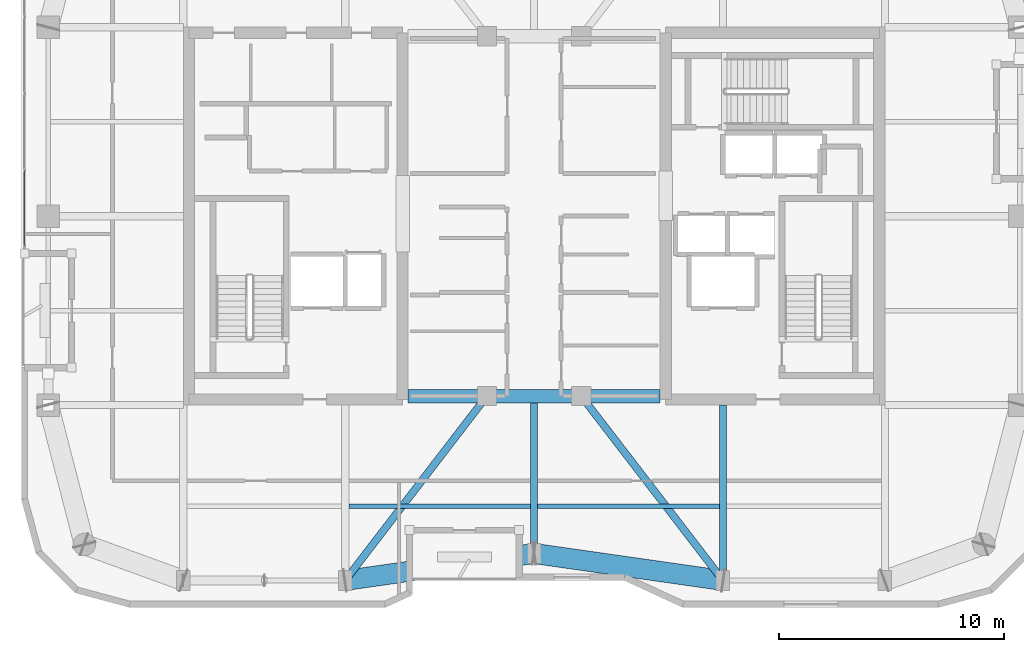
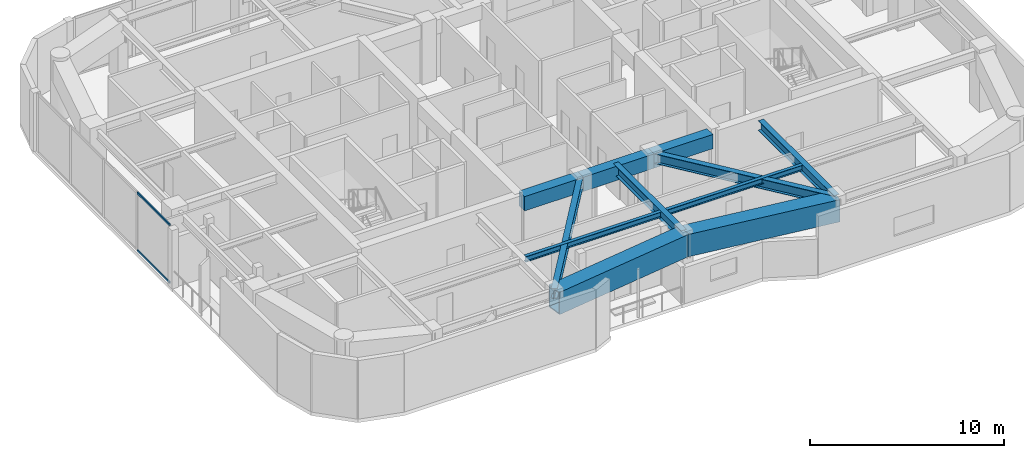
# One storey, part 3 of 15: 11 beams, 2 members, 1 element without a shape of its own.
"""IFC4 building model written with IfcOpenShell, lengths in metres."""

from ifc_helpers import new_model, si_unit, direction, frame, origin, origin_2d, place, context, subcontext, project, spatial, rectangle, hollow_rectangle, i_section, extrude, material, layer, layer_set, material_profile, profile_set, type_object, element, aggregate, save


model = new_model("IFC4")

# Units and contexts
model_context = context("Model", 3, precision=1e-05, world=origin(), true_north=direction((0.0, 1.0)))
body_context = subcontext(model_context, "Body", "Model", "MODEL_VIEW")
ifc_project = project(units=[si_unit("LENGTHUNIT", "METRE"), si_unit("AREAUNIT", "SQUARE_METRE"), si_unit("VOLUMEUNIT", "CUBIC_METRE"), si_unit("PLANEANGLEUNIT", "RADIAN"), si_unit("MASSUNIT", "GRAM", prefix="KILO")], contexts=[model_context])

# Site, building, storey
site_placement = place(None, origin())
site = spatial("IfcSite", under=ifc_project, at=site_placement, CompositionType="ELEMENT")
building_placement = place(site_placement, origin())
building = spatial("IfcBuilding", under=site, at=building_placement, Name="Kiyonajd Concourse Tower", CompositionType="ELEMENT")
storey_placement = place(building_placement, frame((0.0, 0.0, 290.10009765625)))
storey = spatial("IfcBuildingStorey", under=building, at=storey_placement, Name="L73", CompositionType="ELEMENT", Elevation=290.10009765625)

# Beams
ifc_material_1 = material(Name="Concrete C60/75", Category="concrete")
ifc_material_profile_1 = material_profile(ifc_material_1, rectangle(XDim=0.60009765625, YDim=0.89990234375, at=origin_2d()), Name="RCBM-600x900")
ifc_profile_set_1 = profile_set([ifc_material_profile_1], Name="Concrete C60/75")
beam_type_1 = type_object("IfcBeamType", Name="BM-COUP-900", PredefinedType="LINTEL", material=ifc_profile_set_1)
beam_1_placement = place(storey_placement, frame((42.39990234375, 28.0, 3.22998046875), z_axis=(1.0, 0.0, 0.0), x_axis=(0.0, 1.0, 0.0)))
element("IfcBeam", 1, at=beam_1_placement, inside=storey, type_object=beam_type_1, Name="L73 Core Coupling Beam S1", PredefinedType="LINTEL", context=body_context, shape_type="SweptSolid", body=[
    extrude(rectangle(XDim=0.60009765625, YDim=0.89990234375, at=origin_2d()), origin(), (0.0, 0.0, 1.0), 3.5),
])
beam_2_placement = place(storey_placement, frame((45.89990234375, 28.0, 3.22998046875), z_axis=(1.0, 0.0, 0.0), x_axis=(0.0, 1.0, 0.0)))
element("IfcBeam", 2, at=beam_2_placement, inside=storey, type_object=beam_type_1, Name="L73 Core Coupling Beam S2", PredefinedType="LINTEL", context=body_context, shape_type="SweptSolid", body=[
    extrude(rectangle(XDim=0.60009765625, YDim=0.89990234375, at=origin_2d()), origin(), (0.0, 0.0, 1.0), 4.2001953125),
])
beam_3_placement = place(storey_placement, frame((50.10009765625, 28.0, 3.22998046875), z_axis=(1.0, 0.0, 0.0), x_axis=(0.0, 1.0, 0.0)))
element("IfcBeam", 3, at=beam_3_placement, inside=storey, type_object=beam_type_1, Name="L73 Core Coupling Beam S3", PredefinedType="LINTEL", context=body_context, shape_type="SweptSolid", body=[
    extrude(rectangle(XDim=0.60009765625, YDim=0.89990234375, at=origin_2d()), origin(), (0.0, 0.0, 1.0), 3.5),
])
ifc_material_2 = material(Name="Steel ASTM A992 Grade 50", Category="steel")
ifc_material_profile_2 = material_profile(ifc_material_2, i_section(OverallWidth=0.205078125, OverallDepth=0.35400390625, WebThickness=0.009521484375, FlangeThickness=0.016845703125, at=origin_2d()), Name="W360X79")
ifc_profile_set_2 = profile_set([ifc_material_profile_2], Name="Steel ASTM A992 Grade 50")
beam_type_2 = type_object("IfcBeamType", Name="BM-JST-360", PredefinedType="JOIST", material=ifc_profile_set_2)
for number, where, z_axis, x_axis, name in (
    (4, (39.761962890625, 23.10009765625, 3.5029296875), (1.0, 0.0, 0.0), (0.0, 1.0, 0.0), "L73 Secondary Floor Joist"),
    (5, (48.162109375, 23.10009765625, 3.5029296875), (1.0, 0.0, 0.0), (0.0, 1.0, 0.0), "L73 Secondary Floor Joist"),
):
    element("IfcBeam", number, at=place(storey_placement, frame(where, z_axis=z_axis, x_axis=x_axis)), inside=storey, type_object=beam_type_2, Name=name, PredefinedType="JOIST", context=body_context, shape_type="SweptSolid", body=[
        extrude(i_section(OverallWidth=0.205078125, OverallDepth=0.35400390625, WebThickness=0.009521484375, FlangeThickness=0.016845703125, at=origin_2d()), origin(), (0.0, 0.0, 1.0), 8.075927734375),
    ])
ifc_material_profile_3 = material_profile(ifc_material_2, i_section(OverallWidth=0.326904296875, OverallDepth=0.6220703125, WebThickness=0.015380859375, FlangeThickness=0.0244140625, at=origin_2d()), Name="W610X195")
ifc_profile_set_3 = profile_set([ifc_material_profile_3], Name="Steel ASTM A992 Grade 50")
beam_type_3 = type_object("IfcBeamType", Name="BM-TWR-610A", PredefinedType="BEAM", material=ifc_profile_set_3)
for number, where, z_axis, x_axis, name in (
    (6, (39.60009765625, 19.800048828125, 3.368896484375), (0.609233709922, 0.792990722956, 0.0), (-0.792990722956, 0.609233709922, 0.0), "L73 Core Tie Girder"),
    (7, (50.10009765625, 28.0, 3.368896484375), (0.609233709922, -0.792990722956, 0.0), (0.792990722956, 0.609233709922, 0.0), "L73 Core Tie Girder"),
):
    element("IfcBeam", number, at=place(storey_placement, frame(where, z_axis=z_axis, x_axis=x_axis)), inside=storey, type_object=beam_type_3, Name=name, PredefinedType="BEAM", context=body_context, shape_type="SweptSolid", body=[
        extrude(i_section(OverallWidth=0.326904296875, OverallDepth=0.6220703125, WebThickness=0.015380859375, FlangeThickness=0.0244140625, at=origin_2d()), origin(), (0.0, 0.0, 1.0), 10.340576171875),
    ])
ifc_material_profile_4 = material_profile(ifc_material_2, i_section(OverallWidth=0.323974609375, OverallDepth=0.611083984375, WebThickness=0.0126953125, FlangeThickness=0.01904296875, at=origin_2d()), Name="W610X155")
ifc_profile_set_4 = profile_set([ifc_material_profile_4], Name="Steel ASTM A992 Grade 50")
beam_type_4 = type_object("IfcBeamType", Name="BM-TWR-610B", PredefinedType="BEAM", material=ifc_profile_set_4)
beam_4_placement = place(storey_placement, frame((56.39990234375, 19.800048828125, 3.37451171875), z_axis=(0.0, 1.0, 0.0), x_axis=(-1.0, 0.0, 0.0)))
element("IfcBeam", 8, at=beam_4_placement, inside=storey, type_object=beam_type_4, Name="L73 South Lease Girder", PredefinedType="BEAM", context=body_context, shape_type="SweptSolid", body=[
    extrude(i_section(OverallWidth=0.323974609375, OverallDepth=0.611083984375, WebThickness=0.0126953125, FlangeThickness=0.01904296875, at=origin_2d()), origin(), (0.0, 0.0, 1.0), 7.800048828125),
])
beam_5_placement = place(storey_placement, frame((48.0, 21.0, 3.37451171875), z_axis=(0.0, 1.0, 0.0), x_axis=(-1.0, 0.0, 0.0)))
element("IfcBeam", 9, at=beam_5_placement, inside=storey, type_object=beam_type_4, Name="L73 South Ribbon Girder", PredefinedType="BEAM", context=body_context, shape_type="SweptSolid", body=[
    extrude(i_section(OverallWidth=0.323974609375, OverallDepth=0.611083984375, WebThickness=0.0126953125, FlangeThickness=0.01904296875, at=origin_2d()), origin(), (0.0, 0.0, 1.0), 7.0),
])
ifc_material_3 = material(Name="Steel ASTM A572 Grade 50", Category="steel")
ifc_material_profile_5 = material_profile(ifc_material_3, hollow_rectangle(XDim=0.89990234375, YDim=1.39990234375, WallThickness=0.070068359375, at=origin_2d()), Name="BOX-1400x900x70")
ifc_profile_set_5 = profile_set([ifc_material_profile_5], Name="Steel ASTM A572 Grade 50")
beam_type_5 = type_object("IfcBeamType", Name="BM-XFER-1400", PredefinedType="BEAM", material=ifc_profile_set_5)
for number, where, z_axis, x_axis, name in (
    (10, (39.60009765625, 19.800048828125, 2.97998046875), (0.989950069105, 0.141417328072, 0.0), (-0.141417328072, 0.989950069105, 0.0), "L73 Perimeter Bundled Tube Spandrel"),
    (11, (48.0, 21.0, 2.97998046875), (0.989950069105, -0.141417328072, 0.0), (0.141417328072, 0.989950069105, 0.0), "L73 Perimeter Bundled Tube Spandrel"),
):
    element("IfcBeam", number, at=place(storey_placement, frame(where, z_axis=z_axis, x_axis=x_axis)), inside=storey, type_object=beam_type_5, Name=name, PredefinedType="BEAM", context=body_context, shape_type="SweptSolid", body=[
        extrude(hollow_rectangle(XDim=0.89990234375, YDim=1.39990234375, WallThickness=0.070068359375, at=origin_2d()), origin(), (0.0, 0.0, 1.0), 8.485107421875),
    ])

# Curtain wall, members
ifc_material_4 = material(Name="Thermally Broken Anodised Aluminium", Category="aluminium")
ifc_layer = layer(ifc_material_4, 0.179931640625)
ifc_layer_set = layer_set([ifc_layer], Name="Thermally Broken Anodised Aluminium")
curtain_wall_type = type_object("IfcCurtainWallType", Name="CW-SYS-04", PredefinedType="NOTDEFINED", material=ifc_layer_set)
curtain_wall_placement = place(storey_placement, origin())
curtain_wall = element("IfcCurtainWall", 12, at=curtain_wall_placement, inside=storey, type_object=curtain_wall_type, Name="L73 Unitised Curtain Wall CW4", PredefinedType="NOTDEFINED")
ifc_material_profile_6 = material_profile(ifc_material_4, hollow_rectangle(XDim=0.06494140625, YDim=0.139892578125, WallThickness=0.00390625, at=origin_2d()), Name="TRAN-65x140")
ifc_profile_set_6 = profile_set([ifc_material_profile_6], Name="Thermally Broken Anodised Aluminium")
member_type = type_object("IfcMemberType", Name="MB-CW-TRAN1", PredefinedType="USERDEFINED", material=ifc_profile_set_6)
member_1_placement = place(storey_placement, frame((25.340087890625, 34.695068359375, 0.032470703125), z_axis=(0.0, 1.0, 0.0), x_axis=(-1.0, 0.0, 0.0)))
member_1 = element("IfcMember", 13, at=member_1_placement, type_object=member_type, Name="CW4 transom 1.1", ObjectType="TRANSOM", PredefinedType="USERDEFINED", context=body_context, shape_type="SweptSolid", body=[
    extrude(hollow_rectangle(XDim=0.06494140625, YDim=0.139892578125, WallThickness=0.00390625, at=origin_2d()), origin(), (0.0, 0.0, 1.0), 3.31787109375),
])
member_2_placement = place(storey_placement, frame((25.340087890625, 34.695068359375, 3.6474609375), z_axis=(0.0, 1.0, 0.0), x_axis=(-1.0, 0.0, 0.0)))
member_2 = element("IfcMember", 14, at=member_2_placement, type_object=member_type, Name="CW4 transom 1.2", ObjectType="TRANSOM", PredefinedType="USERDEFINED", context=body_context, shape_type="SweptSolid", body=[
    extrude(hollow_rectangle(XDim=0.06494140625, YDim=0.139892578125, WallThickness=0.00390625, at=origin_2d()), origin(), (0.0, 0.0, 1.0), 3.31787109375),
])
aggregate(curtain_wall, [member_1, member_2])

save(model, "model.ifc")
